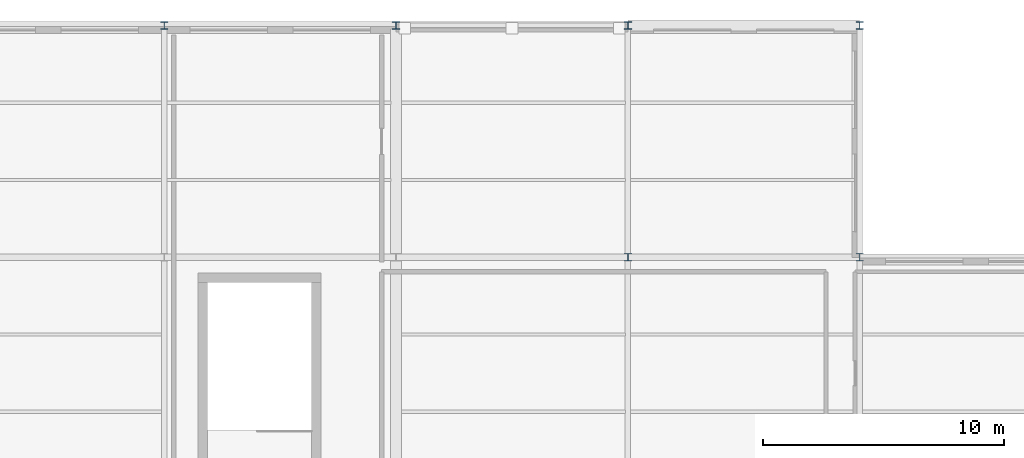
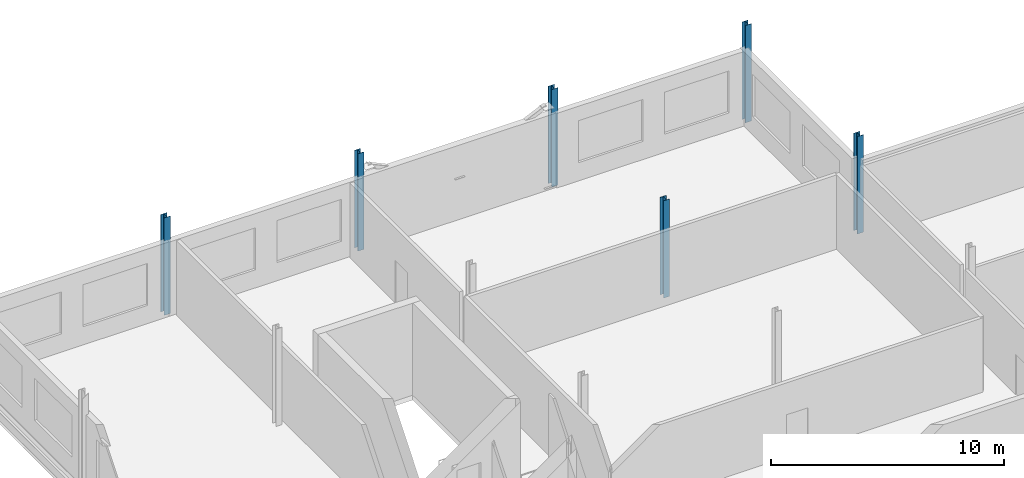
# One storey, part 7 of 45: 6 columns.
"""IFC4 building model written with IfcOpenShell, lengths in metres."""

from ifc_helpers import new_model, si_unit, direction, frame, origin, origin_2d, place, context, subcontext, project, spatial, i_section, extrude, material, material_profile, profile_set, type_object, element, save


model = new_model("IFC4")

# Units and contexts
model_context = context("Model", 3, precision=1e-05, world=origin(), true_north=direction((0.0, 1.0)))
body_context = subcontext(model_context, "Body", "Model", "MODEL_VIEW")
ifc_project = project(units=[si_unit("LENGTHUNIT", "METRE"), si_unit("AREAUNIT", "SQUARE_METRE"), si_unit("VOLUMEUNIT", "CUBIC_METRE"), si_unit("PLANEANGLEUNIT", "RADIAN"), si_unit("MASSUNIT", "GRAM", prefix="KILO")], contexts=[model_context])

# Site, building, storey
site_placement = place(None, origin())
site = spatial("IfcSite", under=ifc_project, at=site_placement, CompositionType="ELEMENT")
building_placement = place(site_placement, origin())
building = spatial("IfcBuilding", under=site, at=building_placement, Name="Caelomonte Colonnade Arena", CompositionType="ELEMENT")
storey_placement = place(building_placement, frame((0.0, 0.0, 23.10009765625)))
storey = spatial("IfcBuildingStorey", under=building, at=storey_placement, Name="L05", CompositionType="ELEMENT", Elevation=23.10009765625)

# Columns
ifc_material = material(Name="Wide-flange steel ASTM A992 Grade 50", Category="steel")
ifc_material_profile = material_profile(ifc_material, i_section(OverallWidth=0.3046875, OverallDepth=0.307861328125, WebThickness=0.010009765625, FlangeThickness=0.015380859375, FilletRadius=0.0126953125, at=origin_2d()), Name="W12X65")
ifc_profile_set = profile_set([ifc_material_profile], Name="Wide-flange steel ASTM A992 Grade 50")
column_type = type_object("IfcColumnType", Name="STR-COL-W12A", PredefinedType="COLUMN", material=ifc_profile_set)
for number, where, z_axis, x_axis, name in (
    (1, (153.60009765625, 144.0, 0.0), (0.0, 0.0, 1.0), (1.0, 0.0, 0.0), "L05 column (153.6, 144.0)"),
    (2, (163.199951171875, 144.0, 0.0), (0.0, 0.0, 1.0), (1.0, 0.0, 0.0), "L05 column (163.2, 144.0)"),
    (3, (172.800048828125, 134.39990234375, 0.0), (0.0, 0.0, 1.0), (1.0, 0.0, 0.0), "L05 column (172.8, 134.4)"),
    (4, (172.800048828125, 144.0, 0.0), (0.0, 0.0, 1.0), (1.0, 0.0, 0.0), "L05 column (172.8, 144.0)"),
    (5, (182.39990234375, 134.39990234375, 0.0), (0.0, 0.0, 1.0), (1.0, 0.0, 0.0), "L05 column (182.4, 134.4)"),
    (6, (182.39990234375, 144.0, 0.0), (0.0, 0.0, 1.0), (1.0, 0.0, 0.0), "L05 column (182.4, 144.0)"),
):
    element("IfcColumn", number, at=place(storey_placement, frame(where, z_axis=z_axis, x_axis=x_axis)), inside=storey, type_object=column_type, Name=name, PredefinedType="COLUMN", context=body_context, shape_type="SweptSolid", body=[
        extrude(i_section(OverallWidth=0.3046875, OverallDepth=0.307861328125, WebThickness=0.010009765625, FlangeThickness=0.015380859375, FilletRadius=0.0126953125, at=origin_2d()), origin(), (0.0, 0.0, 1.0), 5.099853515625),
    ])

save(model, "model.ifc")
